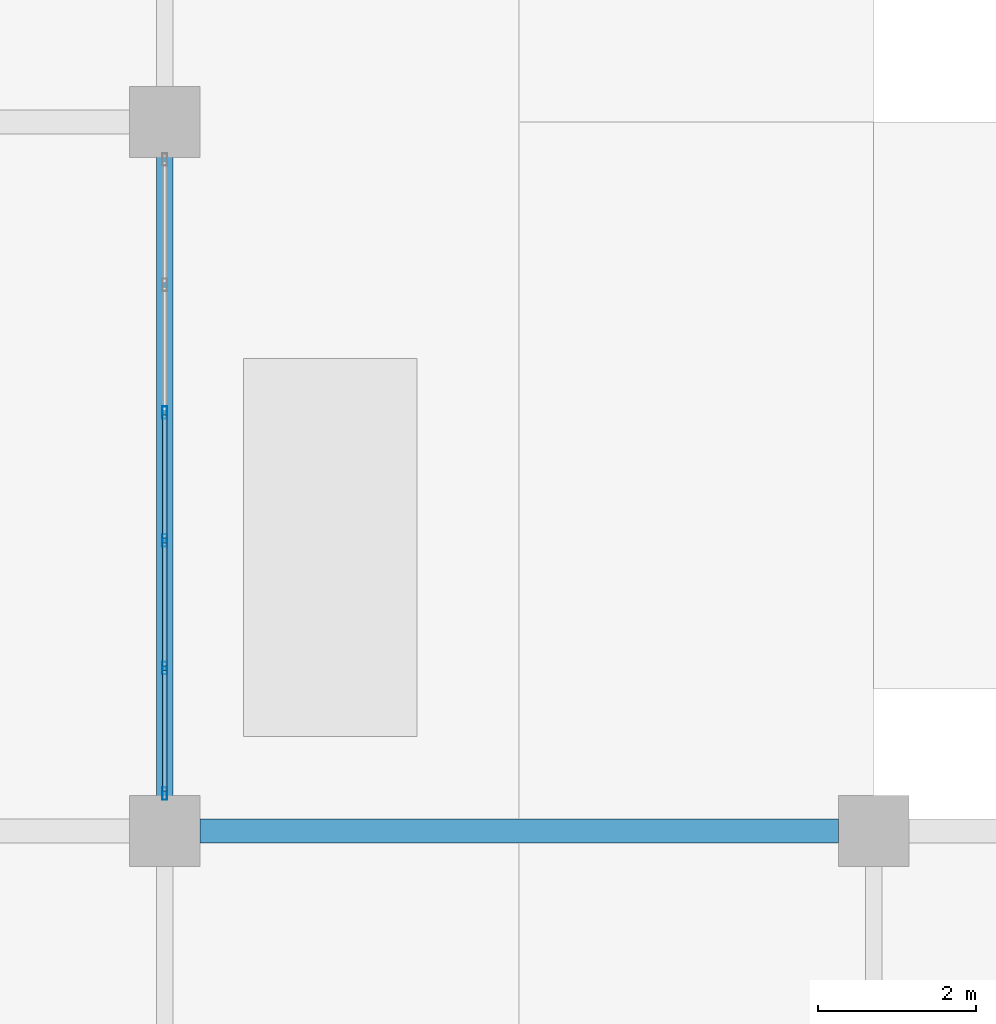
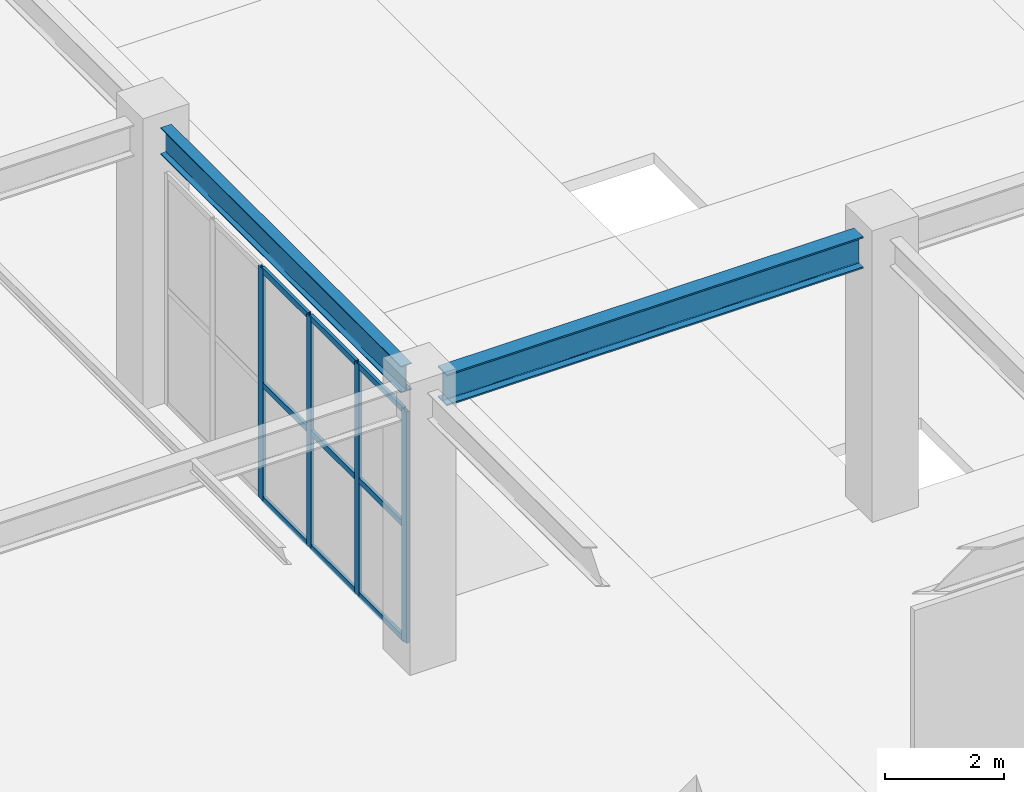
# One storey, part 10 of 91: 13 members, 2 beams, 1 element without a shape of its own.
"""IFC4 building model written with IfcOpenShell, lengths in metres."""

from ifc_helpers import new_model, si_unit, direction, frame, origin, origin_2d, place, context, subcontext, project, spatial, hollow_rectangle, i_section, extrude, material, layer, layer_set, material_profile, profile_set, type_object, element, aggregate, save


model = new_model("IFC4")

# Units and contexts
model_context = context("Model", 3, precision=1e-05, world=origin(), true_north=direction((0.0, 1.0)))
body_context = subcontext(model_context, "Body", "Model", "MODEL_VIEW")
ifc_project = project(units=[si_unit("LENGTHUNIT", "METRE"), si_unit("AREAUNIT", "SQUARE_METRE"), si_unit("VOLUMEUNIT", "CUBIC_METRE"), si_unit("PLANEANGLEUNIT", "RADIAN"), si_unit("MASSUNIT", "GRAM", prefix="KILO")], contexts=[model_context])

# Site, building, storey
site_placement = place(None, origin())
site = spatial("IfcSite", under=ifc_project, at=site_placement, CompositionType="ELEMENT")
building_placement = place(site_placement, origin())
building = spatial("IfcBuilding", under=site, at=building_placement, Name="Dornveld Trade and Exhibition Forum", CompositionType="ELEMENT")
storey_placement = place(building_placement, origin())
storey = spatial("IfcBuildingStorey", under=building, at=storey_placement, Name="L00", CompositionType="ELEMENT", Elevation=0.0)

# Beams
ifc_material_1 = material(Name="Steel S355J2", Category="steel")
ifc_material_profile_1 = material_profile(ifc_material_1, i_section(OverallWidth=0.300048828125, OverallDepth=0.64990234375, WebThickness=0.01611328125, FlangeThickness=0.031005859375, FilletRadius=0.027099609375, at=origin_2d()), Name="HEB 650")
ifc_profile_set_1 = profile_set([ifc_material_profile_1], Name="Steel S355J2")
beam_type_1 = type_object("IfcBeamType", Name="BM-GIR-HEB650", PredefinedType="USERDEFINED", material=ifc_profile_set_1)
beam_1_placement = place(storey_placement, frame((153.446044921875, 54.0, 5.375), z_axis=(1.0, 0.0, 0.0), x_axis=(0.0, 1.0, 0.0)))
element("IfcBeam", 1, at=beam_1_placement, inside=storey, type_object=beam_type_1, Name="L00 X-girder 1036", ObjectType="GIRDER", PredefinedType="USERDEFINED", context=body_context, shape_type="SweptSolid", body=[
    extrude(i_section(OverallWidth=0.300048828125, OverallDepth=0.64990234375, WebThickness=0.01611328125, FlangeThickness=0.031005859375, FilletRadius=0.027099609375, at=origin_2d()), origin(), (0.0, 0.0, 1.0), 8.10791015625),
])
ifc_material_2 = material(Name="Steel S355J2", Category="steel")
ifc_material_profile_2 = material_profile(ifc_material_2, i_section(OverallWidth=0.2099609375, OverallDepth=0.550048828125, WebThickness=0.010986328125, FlangeThickness=0.01708984375, FilletRadius=0.02392578125, at=origin_2d()), Name="IPE 550")
ifc_profile_set_2 = profile_set([ifc_material_profile_2], Name="Steel S355J2")
beam_type_2 = type_object("IfcBeamType", Name="BM-SEC-550", PredefinedType="BEAM", material=ifc_profile_set_2)
beam_2_placement = place(storey_placement, frame((153.0, 54.446044921875, 5.425048828125), z_axis=(0.0, 1.0, 0.0), x_axis=(-1.0, 0.0, 0.0)))
element("IfcBeam", 2, at=beam_2_placement, inside=storey, type_object=beam_type_2, Name="L00 Y-girder 743", PredefinedType="BEAM", context=body_context, shape_type="SweptSolid", body=[
    extrude(i_section(OverallWidth=0.2099609375, OverallDepth=0.550048828125, WebThickness=0.010986328125, FlangeThickness=0.01708984375, FilletRadius=0.02392578125, at=origin_2d()), origin(), (0.0, 0.0, 1.0), 8.10791015625),
])

# Curtain wall, members
ifc_material_3 = material(Name="Dark-bronze anodised aluminium and low-E glass", Category="aluminium")
ifc_layer = layer(ifc_material_3, 0.154052734375)
ifc_layer_set = layer_set([ifc_layer], Name="Dark-bronze anodised aluminium and low-E glass")
curtain_wall_type = type_object("IfcCurtainWallType", Name="CW-SYS-04", PredefinedType="USERDEFINED", material=ifc_layer_set)
curtain_wall_placement = place(storey_placement, origin())
curtain_wall = element("IfcCurtainWall", 3, at=curtain_wall_placement, inside=storey, type_object=curtain_wall_type, Name="L00 unitised curtain wall 58", ObjectType="UNITISED_CURTAIN_WALL", PredefinedType="USERDEFINED")
ifc_material_4 = material(Name="Dark-bronze anodised aluminium", Category="aluminium")
ifc_material_profile_3 = material_profile(ifc_material_4, hollow_rectangle(XDim=0.06005859375, YDim=0.159912109375, WallThickness=0.00390625, at=origin_2d()), Name="RHS 160x60x4")
ifc_profile_set_3 = profile_set([ifc_material_profile_3], Name="Dark-bronze anodised aluminium")
member_type_1 = type_object("IfcMemberType", Name="CW-MUL-160", PredefinedType="MULLION", material=ifc_profile_set_3)
member_1_placement = place(storey_placement, frame((153.0, 54.47607421875, -0.00390625), z_axis=(0.0, 0.0, 1.0), x_axis=(-1.0, 0.0, 0.0)))
member_1 = element("IfcMember", 4, at=member_1_placement, type_object=member_type_1, Name="CW-04 mullion 1", PredefinedType="MULLION", context=body_context, shape_type="SweptSolid", body=[
    extrude(hollow_rectangle(XDim=0.06005859375, YDim=0.159912109375, WallThickness=0.00390625, at=origin_2d()), origin(), (0.0, 0.0, 1.0), 4.763916015625),
])
member_2_placement = place(storey_placement, frame((153.0, 56.067626953125, -0.00390625), z_axis=(0.0, 0.0, 1.0), x_axis=(-1.0, 0.0, 0.0)))
member_2 = element("IfcMember", 5, at=member_2_placement, type_object=member_type_1, Name="CW-04 mullion 2", PredefinedType="MULLION", context=body_context, shape_type="SweptSolid", body=[
    extrude(hollow_rectangle(XDim=0.06005859375, YDim=0.159912109375, WallThickness=0.00390625, at=origin_2d()), origin(), (0.0, 0.0, 1.0), 4.763916015625),
])
member_3_placement = place(storey_placement, frame((153.0, 57.689208984375, -0.00390625), z_axis=(0.0, 0.0, 1.0), x_axis=(-1.0, 0.0, 0.0)))
member_3 = element("IfcMember", 6, at=member_3_placement, type_object=member_type_1, Name="CW-04 mullion 3", PredefinedType="MULLION", context=body_context, shape_type="SweptSolid", body=[
    extrude(hollow_rectangle(XDim=0.06005859375, YDim=0.159912109375, WallThickness=0.00390625, at=origin_2d()), origin(), (0.0, 0.0, 1.0), 4.763916015625),
])
member_4_placement = place(storey_placement, frame((153.0, 59.310791015625, -0.00390625), z_axis=(0.0, 0.0, 1.0), x_axis=(-1.0, 0.0, 0.0)))
member_4 = element("IfcMember", 7, at=member_4_placement, type_object=member_type_1, Name="CW-04 mullion 4", PredefinedType="MULLION", context=body_context, shape_type="SweptSolid", body=[
    extrude(hollow_rectangle(XDim=0.06005859375, YDim=0.159912109375, WallThickness=0.00390625, at=origin_2d()), origin(), (0.0, 0.0, 1.0), 4.763916015625),
])
ifc_material_5 = material(Name="Dark-bronze anodised aluminium", Category="aluminium")
ifc_material_profile_4 = material_profile(ifc_material_5, hollow_rectangle(XDim=0.06005859375, YDim=0.1201171875, WallThickness=0.00390625, at=origin_2d()), Name="RHS 120x60x4")
ifc_profile_set_4 = profile_set([ifc_material_profile_4], Name="Dark-bronze anodised aluminium")
member_type_2 = type_object("IfcMemberType", Name="CW-TRN-120", PredefinedType="USERDEFINED", material=ifc_profile_set_4)
member_5_placement = place(storey_placement, frame((153.0, 54.506103515625, 0.02587890625), z_axis=(0.0, 1.0, 0.0), x_axis=(-1.0, 0.0, 0.0)))
member_5 = element("IfcMember", 8, at=member_5_placement, type_object=member_type_2, Name="CW-04 transom 1.1", ObjectType="TRANSOM", PredefinedType="USERDEFINED", context=body_context, shape_type="SweptSolid", body=[
    extrude(hollow_rectangle(XDim=0.06005859375, YDim=0.1201171875, WallThickness=0.00390625, at=origin_2d()), origin(), (0.0, 0.0, 1.0), 1.531494140625),
])
member_6_placement = place(storey_placement, frame((153.0, 54.506103515625, 2.3779296875), z_axis=(0.0, 1.0, 0.0), x_axis=(-1.0, 0.0, 0.0)))
member_6 = element("IfcMember", 9, at=member_6_placement, type_object=member_type_2, Name="CW-04 transom 1.2", ObjectType="TRANSOM", PredefinedType="USERDEFINED", context=body_context, shape_type="SweptSolid", body=[
    extrude(hollow_rectangle(XDim=0.06005859375, YDim=0.1201171875, WallThickness=0.00390625, at=origin_2d()), origin(), (0.0, 0.0, 1.0), 1.531494140625),
])
member_7_placement = place(storey_placement, frame((153.0, 54.506103515625, 4.72998046875), z_axis=(0.0, 1.0, 0.0), x_axis=(-1.0, 0.0, 0.0)))
member_7 = element("IfcMember", 10, at=member_7_placement, type_object=member_type_2, Name="CW-04 transom 1.3", ObjectType="TRANSOM", PredefinedType="USERDEFINED", context=body_context, shape_type="SweptSolid", body=[
    extrude(hollow_rectangle(XDim=0.06005859375, YDim=0.1201171875, WallThickness=0.00390625, at=origin_2d()), origin(), (0.0, 0.0, 1.0), 1.531494140625),
])
member_8_placement = place(storey_placement, frame((153.0, 56.09765625, 0.02587890625), z_axis=(0.0, 1.0, 0.0), x_axis=(-1.0, 0.0, 0.0)))
member_8 = element("IfcMember", 11, at=member_8_placement, type_object=member_type_2, Name="CW-04 transom 2.1", ObjectType="TRANSOM", PredefinedType="USERDEFINED", context=body_context, shape_type="SweptSolid", body=[
    extrude(hollow_rectangle(XDim=0.06005859375, YDim=0.1201171875, WallThickness=0.00390625, at=origin_2d()), origin(), (0.0, 0.0, 1.0), 1.5615234375),
])
member_9_placement = place(storey_placement, frame((153.0, 56.09765625, 2.3779296875), z_axis=(0.0, 1.0, 0.0), x_axis=(-1.0, 0.0, 0.0)))
member_9 = element("IfcMember", 12, at=member_9_placement, type_object=member_type_2, Name="CW-04 transom 2.2", ObjectType="TRANSOM", PredefinedType="USERDEFINED", context=body_context, shape_type="SweptSolid", body=[
    extrude(hollow_rectangle(XDim=0.06005859375, YDim=0.1201171875, WallThickness=0.00390625, at=origin_2d()), origin(), (0.0, 0.0, 1.0), 1.5615234375),
])
member_10_placement = place(storey_placement, frame((153.0, 56.09765625, 4.72998046875), z_axis=(0.0, 1.0, 0.0), x_axis=(-1.0, 0.0, 0.0)))
member_10 = element("IfcMember", 13, at=member_10_placement, type_object=member_type_2, Name="CW-04 transom 2.3", ObjectType="TRANSOM", PredefinedType="USERDEFINED", context=body_context, shape_type="SweptSolid", body=[
    extrude(hollow_rectangle(XDim=0.06005859375, YDim=0.1201171875, WallThickness=0.00390625, at=origin_2d()), origin(), (0.0, 0.0, 1.0), 1.5615234375),
])
member_11_placement = place(storey_placement, frame((153.0, 57.71923828125, 0.02587890625), z_axis=(0.0, 1.0, 0.0), x_axis=(-1.0, 0.0, 0.0)))
member_11 = element("IfcMember", 14, at=member_11_placement, type_object=member_type_2, Name="CW-04 transom 3.1", ObjectType="TRANSOM", PredefinedType="USERDEFINED", context=body_context, shape_type="SweptSolid", body=[
    extrude(hollow_rectangle(XDim=0.06005859375, YDim=0.1201171875, WallThickness=0.00390625, at=origin_2d()), origin(), (0.0, 0.0, 1.0), 1.5615234375),
])
member_12_placement = place(storey_placement, frame((153.0, 57.71923828125, 2.3779296875), z_axis=(0.0, 1.0, 0.0), x_axis=(-1.0, 0.0, 0.0)))
member_12 = element("IfcMember", 15, at=member_12_placement, type_object=member_type_2, Name="CW-04 transom 3.2", ObjectType="TRANSOM", PredefinedType="USERDEFINED", context=body_context, shape_type="SweptSolid", body=[
    extrude(hollow_rectangle(XDim=0.06005859375, YDim=0.1201171875, WallThickness=0.00390625, at=origin_2d()), origin(), (0.0, 0.0, 1.0), 1.5615234375),
])
member_13_placement = place(storey_placement, frame((153.0, 57.71923828125, 4.72998046875), z_axis=(0.0, 1.0, 0.0), x_axis=(-1.0, 0.0, 0.0)))
member_13 = element("IfcMember", 16, at=member_13_placement, type_object=member_type_2, Name="CW-04 transom 3.3", ObjectType="TRANSOM", PredefinedType="USERDEFINED", context=body_context, shape_type="SweptSolid", body=[
    extrude(hollow_rectangle(XDim=0.06005859375, YDim=0.1201171875, WallThickness=0.00390625, at=origin_2d()), origin(), (0.0, 0.0, 1.0), 1.5615234375),
])
aggregate(curtain_wall, [member_1, member_2, member_3, member_4, member_5, member_6, member_7, member_8, member_9, member_10, member_11, member_12, member_13])

save(model, "model.ifc")
